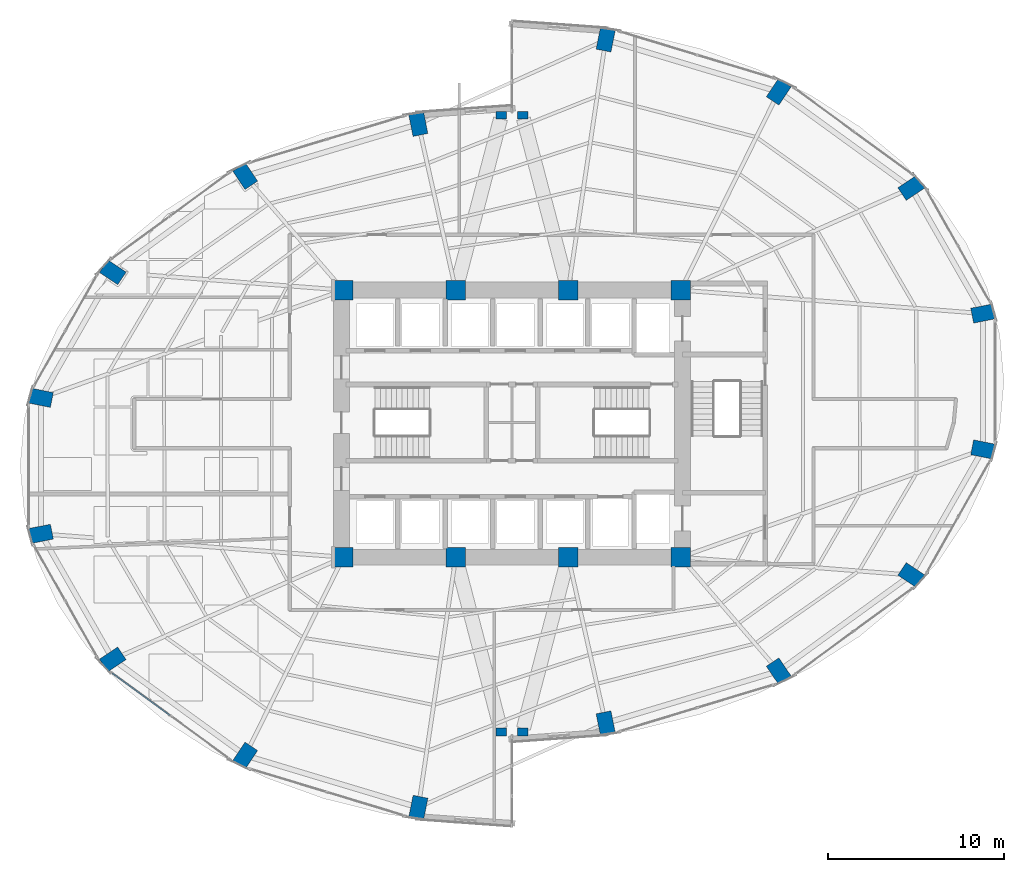
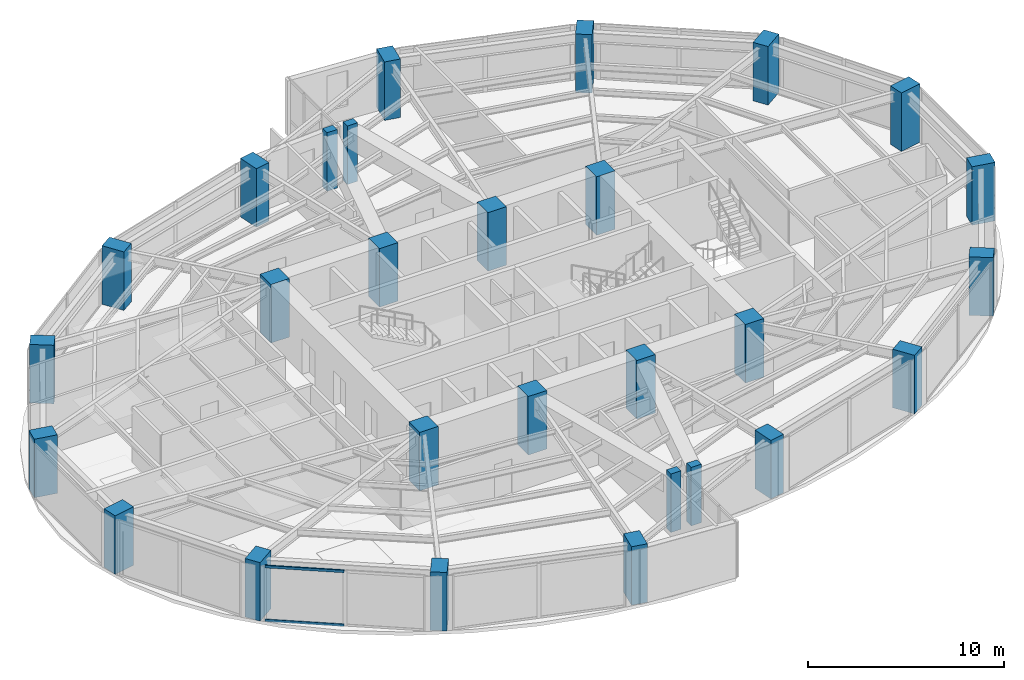
# One storey, part 1 of 25: 28 columns, 2 members, 1 element without a shape of its own.
"""IFC4 building model written with IfcOpenShell, lengths in metres."""

from ifc_helpers import new_model, si_unit, direction, frame, origin, origin_2d, place, context, subcontext, project, spatial, rectangle, hollow_rectangle, extrude, material, layer, layer_set, material_profile, profile_set, type_object, element, aggregate, save


model = new_model("IFC4")

# Units and contexts
model_context = context("Model", 3, precision=1e-05, world=origin(), true_north=direction((0.0, 1.0)))
body_context = subcontext(model_context, "Body", "Model", "MODEL_VIEW")
ifc_project = project(units=[si_unit("LENGTHUNIT", "METRE"), si_unit("AREAUNIT", "SQUARE_METRE"), si_unit("VOLUMEUNIT", "CUBIC_METRE"), si_unit("PLANEANGLEUNIT", "RADIAN"), si_unit("MASSUNIT", "GRAM", prefix="KILO")], contexts=[model_context])

# Site, building, storey
site_placement = place(None, origin())
site = spatial("IfcSite", under=ifc_project, at=site_placement, CompositionType="ELEMENT")
building_placement = place(site_placement, origin())
building = spatial("IfcBuilding", under=site, at=building_placement, Name="Lazwardi Medical Tower", CompositionType="ELEMENT")
storey_placement = place(building_placement, frame((0.0, 0.0, 43.43994140625)))
storey = spatial("IfcBuildingStorey", under=building, at=storey_placement, Name="L10", CompositionType="ELEMENT", Elevation=43.43994140625)

# Columns
ifc_material_1 = material(Name="Concrete C80/95", Category="concrete")
ifc_material_profile_1 = material_profile(ifc_material_1, rectangle(XDim=1.10009765625, YDim=1.10009765625, at=origin_2d()), Name="RC 1100x1100")
ifc_profile_set_1 = profile_set([ifc_material_profile_1], Name="Concrete C80/95")
column_type_1 = type_object("IfcColumnType", Name="COL-CC-L", PredefinedType="COLUMN", material=ifc_profile_set_1)
for number, where, z_axis, x_axis, name in (
    (1, (26.39990234375, 20.39990234375, 0.0), (0.0, 0.0, 1.0), (1.0, 0.0, 0.0), "Core column CC-01 CC1 L10"),
    (2, (32.800048828125, 20.39990234375, 0.0), (0.0, 0.0, 1.0), (1.0, 0.0, 0.0), "Core column CC-01 CC2 L10"),
    (3, (39.199951171875, 20.39990234375, 0.0), (0.0, 0.0, 1.0), (1.0, 0.0, 0.0), "Core column CC-01 CC3 L10"),
    (4, (45.60009765625, 20.39990234375, 0.0), (0.0, 0.0, 1.0), (1.0, 0.0, 0.0), "Core column CC-01 CC4 L10"),
    (5, (45.60009765625, 35.60009765625, 0.0), (0.0, 0.0, 1.0), (1.0, 0.0, 0.0), "Core column CC-01 CC5 L10"),
    (6, (39.199951171875, 35.60009765625, 0.0), (0.0, 0.0, 1.0), (1.0, 0.0, 0.0), "Core column CC-01 CC6 L10"),
    (7, (32.800048828125, 35.60009765625, 0.0), (0.0, 0.0, 1.0), (1.0, 0.0, 0.0), "Core column CC-01 CC7 L10"),
    (8, (26.39990234375, 35.60009765625, 0.0), (0.0, 0.0, 1.0), (1.0, 0.0, 0.0), "Core column CC-01 CC8 L10"),
):
    element("IfcColumn", number, at=place(storey_placement, frame(where, z_axis=z_axis, x_axis=x_axis)), inside=storey, type_object=column_type_1, Name=name, PredefinedType="COLUMN", context=body_context, shape_type="SweptSolid", body=[
        extrude(rectangle(XDim=1.10009765625, YDim=1.10009765625, at=origin_2d()), origin(), (0.0, 0.0, 1.0), 3.64794921875),
    ])
ifc_material_2 = material(Name="Concrete C70/85", Category="concrete")
ifc_material_profile_2 = material_profile(ifc_material_2, rectangle(XDim=1.25, YDim=0.860107421875, at=origin_2d()), Name="CFT-RECT 1250x860")
ifc_profile_set_2 = profile_set([ifc_material_profile_2], Name="Concrete C70/85")
column_type_2 = type_object("IfcColumnType", Name="COL-MC-Z1", PredefinedType="COLUMN", material=ifc_profile_set_2)
for number, where, z_axis, x_axis, name in (
    (9, (41.330810546875, 10.955810546875, 0.0), (0.0, 0.0, 1.0), (0.195090322016, -0.980785280403, 0.0), "Mega column MC-03 M01 L10"),
    (10, (51.180908203125, 13.916015625, 0.0), (0.0, 0.0, 1.0), (0.55557023302, -0.831469612303, 0.0), "Mega column MC-03 M02 L10"),
    (11, (58.719970703125, 19.3857421875, 0.0), (0.0, 0.0, 1.0), (0.831469612303, -0.55557023302, 0.0), "Mega column MC-03 M03 L10"),
    (12, (62.800048828125, 26.5322265625, 0.0), (0.0, 0.0, 1.0), (0.980785280403, -0.195090322016, 0.0), "Mega column MC-03 M04 L10"),
    (13, (62.800048828125, 34.267578125, 0.0), (0.0, 0.0, 1.0), (0.980785280403, 0.195090322016, 0.0), "Mega column MC-03 M05 L10"),
    (14, (58.719970703125, 41.414306640625, 0.0), (0.0, 0.0, 1.0), (0.831469612303, 0.55557023302, 0.0), "Mega column MC-03 M06 L10"),
    (15, (51.180908203125, 46.8837890625, 0.0), (0.0, 0.0, 1.0), (0.55557023302, 0.831469612303, 0.0), "Mega column MC-03 M07 L10"),
    (16, (41.330810546875, 49.843994140625, 0.0), (0.0, 0.0, 1.0), (0.195090322016, 0.980785280403, 0.0), "Mega column MC-03 M08 L10"),
    (17, (30.669189453125, 45.044189453125, 0.0), (0.0, 0.0, 1.0), (-0.195090322016, 0.980785280403, 0.0), "Mega column MC-03 M09 L10"),
    (18, (20.819091796875, 42.083984375, 0.0), (0.0, 0.0, 1.0), (-0.55557023302, 0.831469612303, 0.0), "Mega column MC-03 M10 L10"),
    (19, (13.280029296875, 36.6142578125, 0.0), (0.0, 0.0, 1.0), (-0.831469612303, 0.55557023302, 0.0), "Mega column MC-03 M11 L10"),
    (20, (9.199951171875, 29.4677734375, 0.0), (0.0, 0.0, 1.0), (-0.980785280403, 0.195090322016, 0.0), "Mega column MC-03 M12 L10"),
    (21, (9.199951171875, 21.732421875, 0.0), (0.0, 0.0, 1.0), (-0.980785280403, -0.195090322016, 0.0), "Mega column MC-03 M13 L10"),
    (22, (13.280029296875, 14.585693359375, 0.0), (0.0, 0.0, 1.0), (-0.831469612303, -0.55557023302, 0.0), "Mega column MC-03 M14 L10"),
    (23, (20.819091796875, 9.1162109375, 0.0), (0.0, 0.0, 1.0), (-0.55557023302, -0.831469612303, 0.0), "Mega column MC-03 M15 L10"),
    (24, (30.669189453125, 6.156005859375, 0.0), (0.0, 0.0, 1.0), (-0.195090322016, -0.980785280403, 0.0), "Mega column MC-03 M16 L10"),
):
    element("IfcColumn", number, at=place(storey_placement, frame(where, z_axis=z_axis, x_axis=x_axis)), inside=storey, type_object=column_type_2, Name=name, PredefinedType="COLUMN", context=body_context, shape_type="SweptSolid", body=[
        extrude(rectangle(XDim=1.25, YDim=0.860107421875, at=origin_2d()), origin(), (0.0, 0.0, 1.0), 3.64794921875),
    ])
ifc_material_3 = material(Name="Concrete C60/75", Category="concrete")
ifc_material_profile_3 = material_profile(ifc_material_3, rectangle(XDim=0.60009765625, YDim=0.449951171875, at=origin_2d()), Name="RC 600x450")
ifc_profile_set_3 = profile_set([ifc_material_profile_3], Name="Concrete C60/75")
column_type_3 = type_object("IfcColumnType", Name="COL-PL-IW", PredefinedType="PILASTER", material=ifc_profile_set_3)
for number, where, z_axis, x_axis, name in (
    (25, (35.39990234375, 45.550048828125, 0.0), (0.0, 0.0, 1.0), (1.0, 0.0, 0.0), "Iwan pilaster column PL-C1 PL1 L10"),
    (26, (36.60009765625, 45.550048828125, 0.0), (0.0, 0.0, 1.0), (1.0, 0.0, 0.0), "Iwan pilaster column PL-C1 PL2 L10"),
    (27, (35.39990234375, 10.449951171875, 0.0), (0.0, 0.0, 1.0), (1.0, 0.0, 0.0), "Iwan pilaster column PL-C1 PL3 L10"),
    (28, (36.60009765625, 10.449951171875, 0.0), (0.0, 0.0, 1.0), (1.0, 0.0, 0.0), "Iwan pilaster column PL-C1 PL4 L10"),
):
    element("IfcColumn", number, at=place(storey_placement, frame(where, z_axis=z_axis, x_axis=x_axis)), inside=storey, type_object=column_type_3, Name=name, PredefinedType="PILASTER", context=body_context, shape_type="SweptSolid", body=[
        extrude(rectangle(XDim=0.60009765625, YDim=0.449951171875, at=origin_2d()), origin(), (0.0, 0.0, 1.0), 3.64794921875),
    ])

# Curtain wall, members
ifc_material_4 = material(Name="Anodised bronze aluminium and solar control glazing", Category="aluminium")
ifc_layer = layer(ifc_material_4, 0.199951171875)
ifc_layer_set = layer_set([ifc_layer], Name="Anodised bronze aluminium and solar control glazing")
curtain_wall_type = type_object("IfcCurtainWallType", Name="CW-SYS-02", PredefinedType="NOTDEFINED", material=ifc_layer_set)
curtain_wall_placement = place(storey_placement, origin())
curtain_wall = element("IfcCurtainWall", 29, at=curtain_wall_placement, inside=storey, type_object=curtain_wall_type, Name="L10 Unitised bronze curtain wall CW-02", PredefinedType="NOTDEFINED")
ifc_material_5 = material(Name="Anodised bronze aluminium", Category="aluminium")
ifc_material_profile_4 = material_profile(ifc_material_5, hollow_rectangle(XDim=0.074951171875, YDim=0.159912109375, WallThickness=0.00390625, at=origin_2d()), Name="ALU-TRANSOM 160x75x4")
ifc_profile_set_4 = profile_set([ifc_material_profile_4], Name="Anodised bronze aluminium")
member_type = type_object("IfcMemberType", Name="CW-TRN-01", PredefinedType="USERDEFINED", material=ifc_profile_set_4)
member_1_placement = place(storey_placement, frame((13.239990234375, 13.805419921875, 0.03759765625), z_axis=(0.807189956199, -0.590291770748, 0.0), x_axis=(0.590291770748, 0.807189956199, 0.0)))
member_1 = element("IfcMember", 30, at=member_1_placement, type_object=member_type, Name="CW-02 transom 1.1", ObjectType="TRANSOM", PredefinedType="USERDEFINED", context=body_context, shape_type="SweptSolid", body=[
    extrude(hollow_rectangle(XDim=0.074951171875, YDim=0.159912109375, WallThickness=0.00390625, at=origin_2d()), origin(), (0.0, 0.0, 1.0), 4.070068359375),
])
member_2_placement = place(storey_placement, frame((13.239990234375, 13.805419921875, 3.390625), z_axis=(0.807189956199, -0.590291770748, 0.0), x_axis=(0.590291770748, 0.807189956199, 0.0)))
member_2 = element("IfcMember", 31, at=member_2_placement, type_object=member_type, Name="CW-02 transom 1.2", ObjectType="TRANSOM", PredefinedType="USERDEFINED", context=body_context, shape_type="SweptSolid", body=[
    extrude(hollow_rectangle(XDim=0.074951171875, YDim=0.159912109375, WallThickness=0.00390625, at=origin_2d()), origin(), (0.0, 0.0, 1.0), 4.070068359375),
])
aggregate(curtain_wall, [member_1, member_2])

save(model, "model.ifc")
